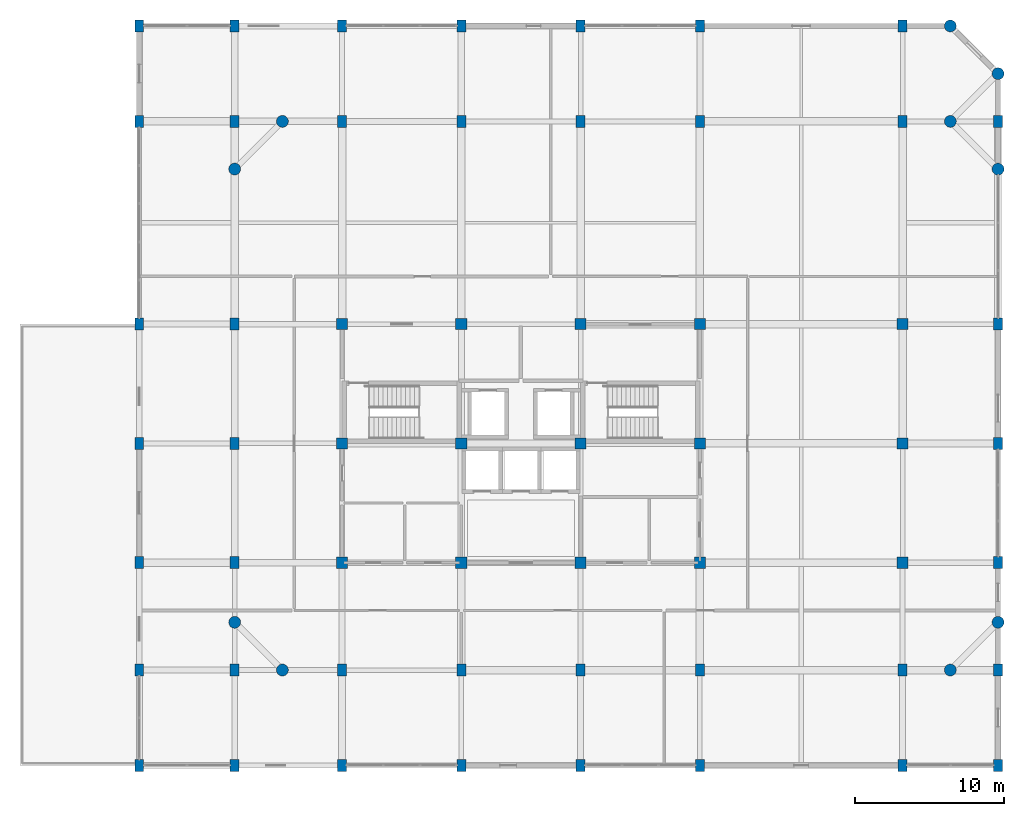
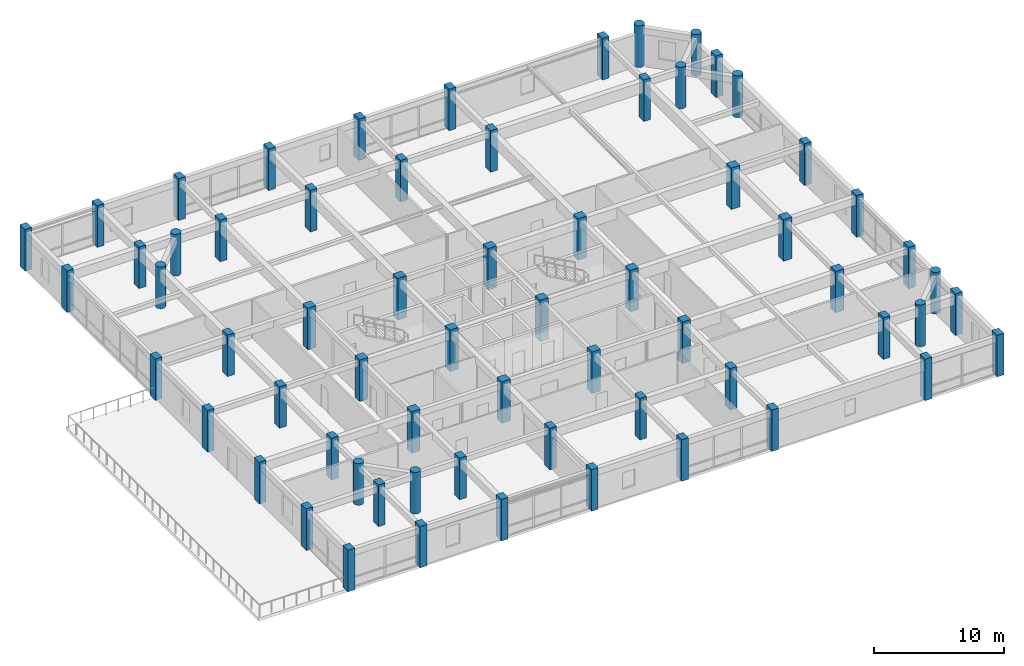
# One storey, part 1 of 14: 65 columns.
"""IFC4 building model written with IfcOpenShell, lengths in metres."""

from ifc_helpers import new_model, si_unit, direction, frame, origin, origin_2d, place, context, subcontext, project, spatial, rectangle, circle, extrude, material, material_profile, profile_set, type_object, element, save


model = new_model("IFC4")

# Units and contexts
model_context = context("Model", 3, precision=1e-05, world=origin(), true_north=direction((0.0, 1.0)))
body_context = subcontext(model_context, "Body", "Model", "MODEL_VIEW")
ifc_project = project(units=[si_unit("LENGTHUNIT", "METRE"), si_unit("AREAUNIT", "SQUARE_METRE"), si_unit("VOLUMEUNIT", "CUBIC_METRE"), si_unit("PLANEANGLEUNIT", "RADIAN"), si_unit("MASSUNIT", "GRAM", prefix="KILO")], contexts=[model_context])

# Site, building, storey
site_placement = place(None, origin())
site = spatial("IfcSite", under=ifc_project, at=site_placement, CompositionType="ELEMENT")
building_placement = place(site_placement, origin())
building = spatial("IfcBuilding", under=site, at=building_placement, Name="Vellmiral Cinema and Media Centre", CompositionType="ELEMENT")
storey_placement = place(building_placement, frame((0.0, 0.0, 27.800048828125)))
storey = spatial("IfcBuildingStorey", under=building, at=storey_placement, Name="L06", CompositionType="ELEMENT", Elevation=27.800048828125)

# Columns
ifc_material_1 = material(Name="Concrete C40/50", Category="concrete")
ifc_material_profile_1 = material_profile(ifc_material_1, rectangle(XDim=0.60009765625, YDim=0.800048828125, at=origin_2d()), Name="RC 600x800")
ifc_profile_set_1 = profile_set([ifc_material_profile_1], Name="Concrete C40/50")
column_type_1 = type_object("IfcColumnType", Name="COL-RC-600x800", PredefinedType="COLUMN", material=ifc_profile_set_1)
for number, where, z_axis, x_axis, name in (
    (1, (110.39990234375, 65.60009765625, 0.0), (0.0, 0.0, 1.0), (1.0, 0.0, 0.0), "Column L06-001"),
    (2, (110.39990234375, 72.0, 0.0), (0.0, 0.0, 1.0), (1.0, 0.0, 0.0), "Column L06-002"),
    (3, (110.39990234375, 79.199951171875, 0.0), (0.0, 0.0, 1.0), (1.0, 0.0, 0.0), "Column L06-003"),
    (4, (110.39990234375, 87.199951171875, 0.0), (0.0, 0.0, 1.0), (1.0, 0.0, 0.0), "Column L06-004"),
    (5, (110.39990234375, 95.199951171875, 0.0), (0.0, 0.0, 1.0), (1.0, 0.0, 0.0), "Column L06-005"),
    (6, (110.39990234375, 108.800048828125, 0.0), (0.0, 0.0, 1.0), (1.0, 0.0, 0.0), "Column L06-006"),
    (7, (110.39990234375, 115.199951171875, 0.0), (0.0, 0.0, 1.0), (1.0, 0.0, 0.0), "Column L06-007"),
    (8, (116.800048828125, 65.60009765625, 0.0), (0.0, 0.0, 1.0), (1.0, 0.0, 0.0), "Column L06-008"),
    (9, (116.800048828125, 72.0, 0.0), (0.0, 0.0, 1.0), (1.0, 0.0, 0.0), "Column L06-009"),
    (10, (116.800048828125, 79.199951171875, 0.0), (0.0, 0.0, 1.0), (1.0, 0.0, 0.0), "Column L06-011"),
    (11, (116.800048828125, 87.199951171875, 0.0), (0.0, 0.0, 1.0), (1.0, 0.0, 0.0), "Column L06-012"),
    (12, (116.800048828125, 95.199951171875, 0.0), (0.0, 0.0, 1.0), (1.0, 0.0, 0.0), "Column L06-013"),
    (13, (116.800048828125, 108.800048828125, 0.0), (0.0, 0.0, 1.0), (1.0, 0.0, 0.0), "Column L06-015"),
    (14, (116.800048828125, 115.199951171875, 0.0), (0.0, 0.0, 1.0), (1.0, 0.0, 0.0), "Column L06-016"),
    (15, (124.0, 65.60009765625, 0.0), (0.0, 0.0, 1.0), (1.0, 0.0, 0.0), "Column L06-019"),
    (16, (124.0, 72.0, 0.0), (0.0, 0.0, 1.0), (1.0, 0.0, 0.0), "Column L06-020"),
    (17, (124.0, 108.800048828125, 0.0), (0.0, 0.0, 1.0), (1.0, 0.0, 0.0), "Column L06-024"),
    (18, (124.0, 115.199951171875, 0.0), (0.0, 0.0, 1.0), (1.0, 0.0, 0.0), "Column L06-025"),
    (19, (132.0, 65.60009765625, 0.0), (0.0, 0.0, 1.0), (1.0, 0.0, 0.0), "Column L06-026"),
    (20, (132.0, 72.0, 0.0), (0.0, 0.0, 1.0), (1.0, 0.0, 0.0), "Column L06-027"),
    (21, (132.0, 108.800048828125, 0.0), (0.0, 0.0, 1.0), (1.0, 0.0, 0.0), "Column L06-031"),
    (22, (132.0, 115.199951171875, 0.0), (0.0, 0.0, 1.0), (1.0, 0.0, 0.0), "Column L06-032"),
    (23, (140.0, 65.60009765625, 0.0), (0.0, 0.0, 1.0), (1.0, 0.0, 0.0), "Column L06-033"),
    (24, (140.0, 72.0, 0.0), (0.0, 0.0, 1.0), (1.0, 0.0, 0.0), "Column L06-034"),
    (25, (140.0, 108.800048828125, 0.0), (0.0, 0.0, 1.0), (1.0, 0.0, 0.0), "Column L06-038"),
    (26, (140.0, 115.199951171875, 0.0), (0.0, 0.0, 1.0), (1.0, 0.0, 0.0), "Column L06-039"),
    (27, (148.0, 65.60009765625, 0.0), (0.0, 0.0, 1.0), (1.0, 0.0, 0.0), "Column L06-040"),
    (28, (148.0, 72.0, 0.0), (0.0, 0.0, 1.0), (1.0, 0.0, 0.0), "Column L06-041"),
    (29, (148.0, 108.800048828125, 0.0), (0.0, 0.0, 1.0), (1.0, 0.0, 0.0), "Column L06-045"),
    (30, (148.0, 115.199951171875, 0.0), (0.0, 0.0, 1.0), (1.0, 0.0, 0.0), "Column L06-046"),
    (31, (161.60009765625, 65.60009765625, 0.0), (0.0, 0.0, 1.0), (1.0, 0.0, 0.0), "Column L06-047"),
    (32, (161.60009765625, 72.0, 0.0), (0.0, 0.0, 1.0), (1.0, 0.0, 0.0), "Column L06-048"),
    (33, (161.60009765625, 108.800048828125, 0.0), (0.0, 0.0, 1.0), (1.0, 0.0, 0.0), "Column L06-052"),
    (34, (161.60009765625, 115.199951171875, 0.0), (0.0, 0.0, 1.0), (1.0, 0.0, 0.0), "Column L06-053"),
    (35, (168.0, 65.60009765625, 0.0), (0.0, 0.0, 1.0), (1.0, 0.0, 0.0), "Column L06-057"),
    (36, (168.0, 72.0, 0.0), (0.0, 0.0, 1.0), (1.0, 0.0, 0.0), "Column L06-058"),
    (37, (168.0, 79.199951171875, 0.0), (0.0, 0.0, 1.0), (1.0, 0.0, 0.0), "Column L06-060"),
    (38, (168.0, 87.199951171875, 0.0), (0.0, 0.0, 1.0), (1.0, 0.0, 0.0), "Column L06-061"),
    (39, (168.0, 95.199951171875, 0.0), (0.0, 0.0, 1.0), (1.0, 0.0, 0.0), "Column L06-062"),
    (40, (168.0, 108.800048828125, 0.0), (0.0, 0.0, 1.0), (1.0, 0.0, 0.0), "Column L06-064"),
):
    element("IfcColumn", number, at=place(storey_placement, frame(where, z_axis=z_axis, x_axis=x_axis)), inside=storey, type_object=column_type_1, Name=name, PredefinedType="COLUMN", context=body_context, shape_type="SweptSolid", body=[
        extrude(rectangle(XDim=0.60009765625, YDim=0.800048828125, at=origin_2d()), origin(), (0.0, 0.0, 1.0), 3.89990234375),
    ])
ifc_material_2 = material(Name="Concrete C40/50", Category="concrete")
ifc_material_profile_2 = material_profile(ifc_material_2, rectangle(XDim=0.75, YDim=0.75, at=origin_2d()), Name="RC 750x750")
ifc_profile_set_2 = profile_set([ifc_material_profile_2], Name="Concrete C40/50")
column_type_2 = type_object("IfcColumnType", Name="COL-RC-750x750", PredefinedType="COLUMN", material=ifc_profile_set_2)
for number, where, z_axis, x_axis, name in (
    (41, (124.0, 79.199951171875, 0.0), (0.0, 0.0, 1.0), (1.0, 0.0, 0.0), "Column L06-021"),
    (42, (124.0, 87.199951171875, 0.0), (0.0, 0.0, 1.0), (1.0, 0.0, 0.0), "Column L06-022"),
    (43, (124.0, 95.199951171875, 0.0), (0.0, 0.0, 1.0), (1.0, 0.0, 0.0), "Column L06-023"),
    (44, (132.0, 79.199951171875, 0.0), (0.0, 0.0, 1.0), (1.0, 0.0, 0.0), "Column L06-028"),
    (45, (132.0, 87.199951171875, 0.0), (0.0, 0.0, 1.0), (1.0, 0.0, 0.0), "Column L06-029"),
    (46, (132.0, 95.199951171875, 0.0), (0.0, 0.0, 1.0), (1.0, 0.0, 0.0), "Column L06-030"),
    (47, (140.0, 79.199951171875, 0.0), (0.0, 0.0, 1.0), (1.0, 0.0, 0.0), "Column L06-035"),
    (48, (140.0, 87.199951171875, 0.0), (0.0, 0.0, 1.0), (1.0, 0.0, 0.0), "Column L06-036"),
    (49, (140.0, 95.199951171875, 0.0), (0.0, 0.0, 1.0), (1.0, 0.0, 0.0), "Column L06-037"),
    (50, (148.0, 79.199951171875, 0.0), (0.0, 0.0, 1.0), (1.0, 0.0, 0.0), "Column L06-042"),
    (51, (148.0, 87.199951171875, 0.0), (0.0, 0.0, 1.0), (1.0, 0.0, 0.0), "Column L06-043"),
    (52, (148.0, 95.199951171875, 0.0), (0.0, 0.0, 1.0), (1.0, 0.0, 0.0), "Column L06-044"),
    (53, (161.60009765625, 79.199951171875, 0.0), (0.0, 0.0, 1.0), (1.0, 0.0, 0.0), "Column L06-049"),
    (54, (161.60009765625, 87.199951171875, 0.0), (0.0, 0.0, 1.0), (1.0, 0.0, 0.0), "Column L06-050"),
    (55, (161.60009765625, 95.199951171875, 0.0), (0.0, 0.0, 1.0), (1.0, 0.0, 0.0), "Column L06-051"),
):
    element("IfcColumn", number, at=place(storey_placement, frame(where, z_axis=z_axis, x_axis=x_axis)), inside=storey, type_object=column_type_2, Name=name, PredefinedType="COLUMN", context=body_context, shape_type="SweptSolid", body=[
        extrude(rectangle(XDim=0.75, YDim=0.75, at=origin_2d()), origin(), (0.0, 0.0, 1.0), 3.89990234375),
    ])
ifc_material_3 = material(Name="Concrete C40/50", Category="concrete")
ifc_material_profile_3 = material_profile(ifc_material_3, circle(Radius=0.39990234375, at=origin_2d()), Name="RC D800")
ifc_profile_set_3 = profile_set([ifc_material_profile_3], Name="Concrete C40/50")
column_type_3 = type_object("IfcColumnType", Name="COL-RCC-D800", PredefinedType="COLUMN", material=ifc_profile_set_3)
for number, where, z_axis, x_axis, name in (
    (56, (116.800048828125, 75.199951171875, 0.0), (0.0, 0.0, 1.0), (1.0, 0.0, 0.0), "Column L06-010"),
    (57, (116.800048828125, 105.60009765625, 0.0), (0.0, 0.0, 1.0), (1.0, 0.0, 0.0), "Column L06-014"),
    (58, (120.0, 72.0, 0.0), (0.0, 0.0, 1.0), (1.0, 0.0, 0.0), "Column L06-017"),
    (59, (120.0, 108.800048828125, 0.0), (0.0, 0.0, 1.0), (1.0, 0.0, 0.0), "Column L06-018"),
    (60, (164.800048828125, 72.0, 0.0), (0.0, 0.0, 1.0), (1.0, 0.0, 0.0), "Column L06-054"),
    (61, (164.800048828125, 108.800048828125, 0.0), (0.0, 0.0, 1.0), (1.0, 0.0, 0.0), "Column L06-055"),
    (62, (164.800048828125, 115.199951171875, 0.0), (0.0, 0.0, 1.0), (1.0, 0.0, 0.0), "Column L06-056"),
    (63, (168.0, 75.199951171875, 0.0), (0.0, 0.0, 1.0), (1.0, 0.0, 0.0), "Column L06-059"),
    (64, (168.0, 105.60009765625, 0.0), (0.0, 0.0, 1.0), (1.0, 0.0, 0.0), "Column L06-063"),
    (65, (168.0, 112.0, 0.0), (0.0, 0.0, 1.0), (1.0, 0.0, 0.0), "Column L06-065"),
):
    element("IfcColumn", number, at=place(storey_placement, frame(where, z_axis=z_axis, x_axis=x_axis)), inside=storey, type_object=column_type_3, Name=name, PredefinedType="COLUMN", context=body_context, shape_type="SweptSolid", body=[
        extrude(circle(Radius=0.39990234375, at=origin_2d()), origin(), (0.0, 0.0, 1.0), 3.89990234375),
    ])

save(model, "model.ifc")
